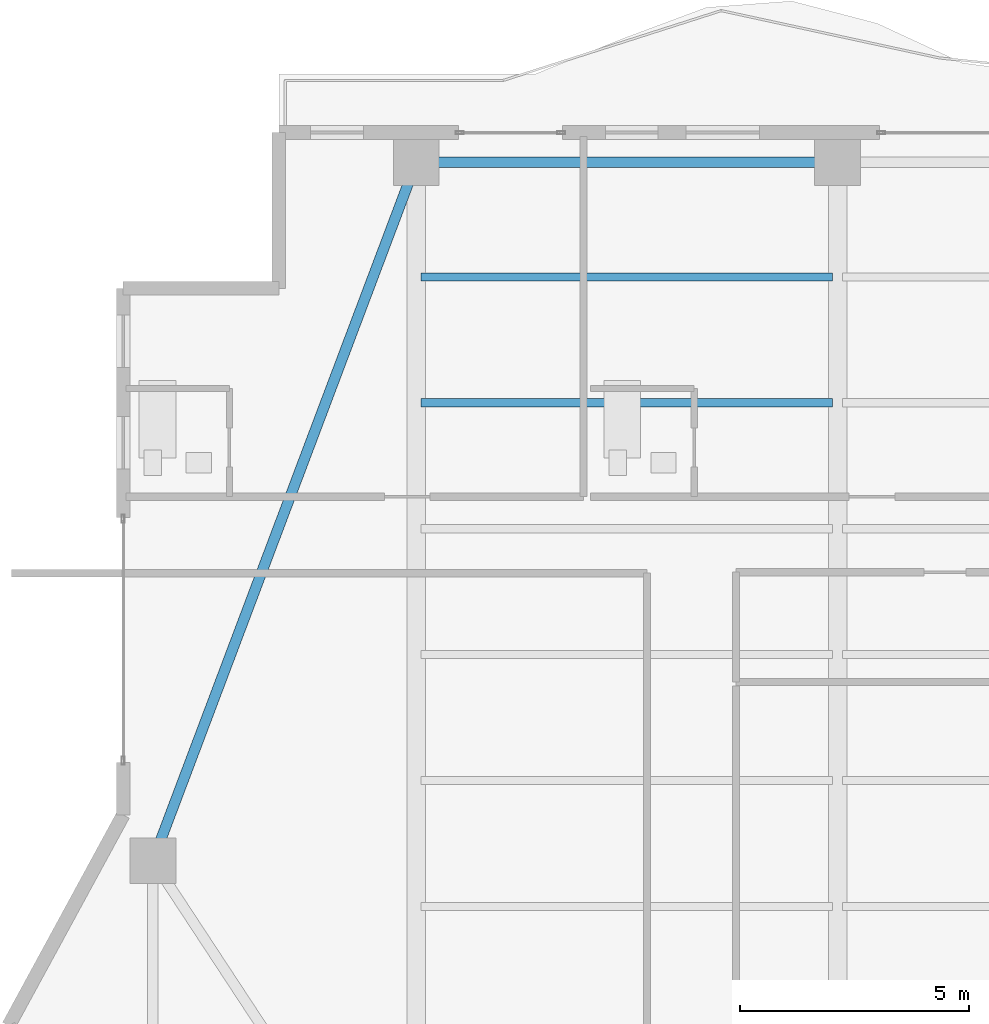
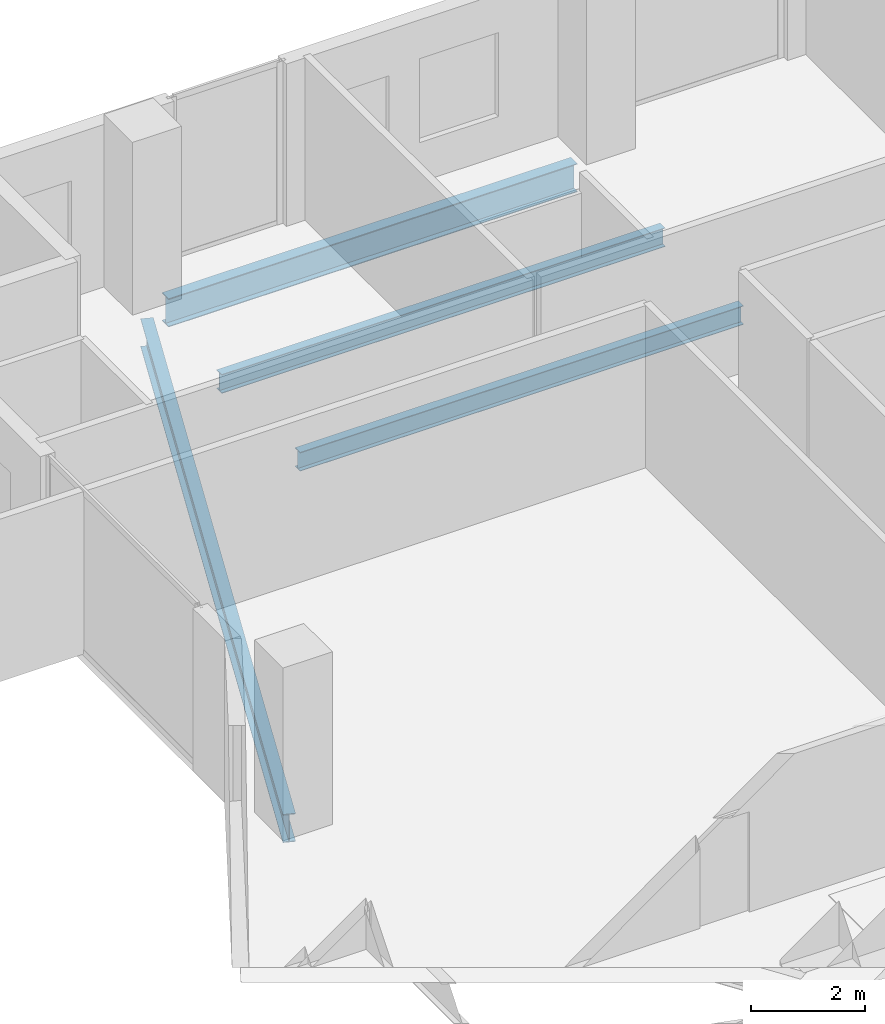
# One storey, part 12 of 25: 4 beams.
"""IFC4 building model written with IfcOpenShell, lengths in metres."""

from ifc_helpers import new_model, si_unit, direction, frame, origin, origin_2d, place, context, subcontext, project, spatial, i_section, extrude, material, material_profile, profile_set, type_object, element, save


model = new_model("IFC4")

# Units and contexts
model_context = context("Model", 3, precision=1e-05, world=origin(), true_north=direction((0.0, 1.0)))
body_context = subcontext(model_context, "Body", "Model", "MODEL_VIEW")
ifc_project = project(units=[si_unit("LENGTHUNIT", "METRE"), si_unit("AREAUNIT", "SQUARE_METRE"), si_unit("VOLUMEUNIT", "CUBIC_METRE"), si_unit("PLANEANGLEUNIT", "RADIAN"), si_unit("MASSUNIT", "GRAM", prefix="KILO")], contexts=[model_context])

# Site, building, storey
site_placement = place(None, origin())
site = spatial("IfcSite", under=ifc_project, at=site_placement, CompositionType="ELEMENT")
building_placement = place(site_placement, origin())
building = spatial("IfcBuilding", under=site, at=building_placement, Name="Zuhayl Quay Hotel", CompositionType="ELEMENT")
storey_placement = place(building_placement, frame((0.0, 0.0, 258.14990234375)))
storey = spatial("IfcBuildingStorey", under=building, at=storey_placement, Name="L65", CompositionType="ELEMENT", Elevation=258.14990234375)

# Beams
ifc_material = material(Name="Steel ASTM A992 Grade 50", Category="steel")
ifc_material_profile_1 = material_profile(ifc_material, i_section(OverallWidth=0.22802734375, OverallDepth=0.60693359375, WebThickness=0.01123046875, FlangeThickness=0.017333984375, at=origin_2d()), Name="W24X76")
ifc_profile_set_1 = profile_set([ifc_material_profile_1], Name="Steel ASTM A992 Grade 50")
beam_type_1 = type_object("IfcBeamType", Name="BM_B3_W24X76", PredefinedType="BEAM", material=ifc_profile_set_1)
beam_1_placement = place(storey_placement, frame((-5.06005859375, 38.35009765625, -0.5234375), z_axis=(-1.0, 0.0, 0.0), x_axis=(0.0, -1.0, 0.0)))
element("IfcBeam", 1, at=beam_1_placement, inside=storey, type_object=beam_type_1, Name="L65 Floor Beam RG_L65_09", PredefinedType="BEAM", context=body_context, shape_type="SweptSolid", body=[
    extrude(i_section(OverallWidth=0.22802734375, OverallDepth=0.60693359375, WebThickness=0.01123046875, FlangeThickness=0.017333984375, at=origin_2d()), origin(), (0.0, 0.0, 1.0), 8.280029296875),
])
beam_2_placement = place(storey_placement, frame((-13.96240234375, 37.919677734375, -0.5234375), z_axis=(-0.352796603103, -0.935700035716, 0.0), x_axis=(0.935700035716, -0.352796603103, 0.0)))
element("IfcBeam", 2, at=beam_2_placement, inside=storey, type_object=beam_type_1, Name="L65 Floor Beam RG_L65_10", PredefinedType="BEAM", context=body_context, shape_type="SweptSolid", body=[
    extrude(i_section(OverallWidth=0.22802734375, OverallDepth=0.60693359375, WebThickness=0.01123046875, FlangeThickness=0.017333984375, at=origin_2d()), origin(), (0.0, 0.0, 1.0), 15.3779296875),
])
ifc_material_profile_2 = material_profile(ifc_material, i_section(OverallWidth=0.177978515625, OverallDepth=0.404052734375, WebThickness=0.007568359375, FlangeThickness=0.010986328125, at=origin_2d()), Name="W16X36")
ifc_profile_set_2 = profile_set([ifc_material_profile_2], Name="Steel ASTM A992 Grade 50")
beam_type_2 = type_object("IfcBeamType", Name="BM_J3_W16X36", PredefinedType="JOIST", material=ifc_profile_set_2)
for number, where, z_axis, x_axis, name in (
    (3, (-13.694091796875, 33.10009765625, -0.421875), (1.0, 0.0, 0.0), (0.0, 1.0, 0.0), "L65 Floor Beam FJ_L65_7_1"),
    (4, (-13.694091796875, 35.85009765625, -0.421875), (1.0, 0.0, 0.0), (0.0, 1.0, 0.0), "L65 Floor Beam FJ_L65_8_1"),
):
    element("IfcBeam", number, at=place(storey_placement, frame(where, z_axis=z_axis, x_axis=x_axis)), inside=storey, type_object=beam_type_2, Name=name, PredefinedType="JOIST", context=body_context, shape_type="SweptSolid", body=[
        extrude(i_section(OverallWidth=0.177978515625, OverallDepth=0.404052734375, WebThickness=0.007568359375, FlangeThickness=0.010986328125, at=origin_2d()), origin(), (0.0, 0.0, 1.0), 8.988037109375),
    ])

save(model, "model.ifc")
